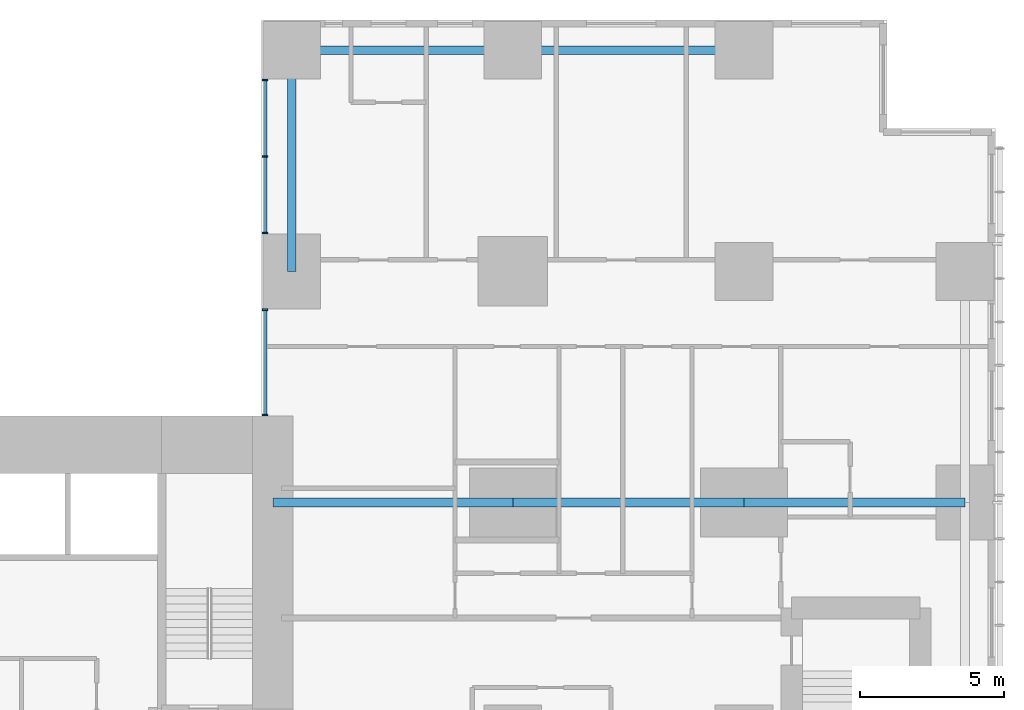
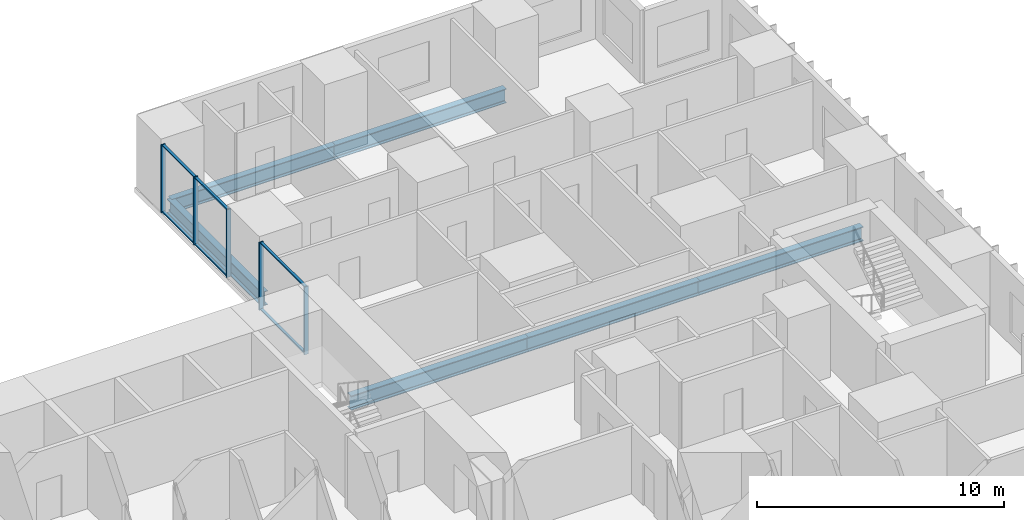
# One storey, part 5 of 20: 11 members, 6 beams, 2 elements without a shape of their own.
"""IFC4 building model written with IfcOpenShell, lengths in metres."""

from ifc_helpers import new_model, si_unit, direction, frame, origin, origin_2d, place, context, subcontext, project, spatial, rectangle, i_section, extrude, material, layer, layer_set, material_profile, profile_set, type_object, element, aggregate, save


model = new_model("IFC4")

# Units and contexts
model_context = context("Model", 3, precision=1e-05, world=origin(), true_north=direction((0.0, 1.0)))
body_context = subcontext(model_context, "Body", "Model", "MODEL_VIEW")
ifc_project = project(units=[si_unit("LENGTHUNIT", "METRE"), si_unit("AREAUNIT", "SQUARE_METRE"), si_unit("VOLUMEUNIT", "CUBIC_METRE"), si_unit("PLANEANGLEUNIT", "RADIAN"), si_unit("MASSUNIT", "GRAM", prefix="KILO")], contexts=[model_context])

# Site, building, storey
site_placement = place(None, origin())
site = spatial("IfcSite", under=ifc_project, at=site_placement, CompositionType="ELEMENT")
building_placement = place(site_placement, origin())
building = spatial("IfcBuilding", under=site, at=building_placement, Name="Cleftline Residences", CompositionType="ELEMENT")
storey_placement = place(building_placement, frame((0.0, 0.0, 76.39990234375)))
storey = spatial("IfcBuildingStorey", under=building, at=storey_placement, Name="L19", CompositionType="ELEMENT", Elevation=76.39990234375)

# Beams
ifc_material_1 = material(Name="Steel S355", Category="steel")
ifc_material_profile_1 = material_profile(ifc_material_1, i_section(OverallWidth=0.300048828125, OverallDepth=0.699951171875, WebThickness=0.01708984375, FlangeThickness=0.031982421875, FilletRadius=0.027099609375, at=origin_2d()))
ifc_profile_set_1 = profile_set([ifc_material_profile_1], Name="Steel S355")
beam_type_1 = type_object("IfcBeamType", Name="BEAM HEB 700", PredefinedType="BEAM", material=ifc_profile_set_1)
beam_1_placement = place(storey_placement, frame((58.0, 47.64990234375, -0.599853515625), z_axis=(-1.0, 0.0, 0.0), x_axis=(0.0, -1.0, 0.0)))
element("IfcBeam", 1, at=beam_1_placement, inside=storey, type_object=beam_type_1, Name="Edge beam", PredefinedType="BEAM", context=body_context, shape_type="SweptSolid", body=[
    extrude(i_section(OverallWidth=0.300048828125, OverallDepth=0.699951171875, WebThickness=0.01708984375, FlangeThickness=0.031982421875, FilletRadius=0.027099609375, at=origin_2d()), origin(), (0.0, 0.0, 1.0), 8.0),
])
for number, where, z_axis, x_axis, name in (
    (2, (50.0, 47.64990234375, -0.599853515625), (-1.0, 0.0, 0.0), (0.0, -1.0, 0.0), "Edge beam"),
    (3, (42.35009765625, 47.64990234375, -0.599853515625), (0.0, -1.0, 0.0), (1.0, 0.0, 0.0), "Edge beam"),
):
    element("IfcBeam", number, at=place(storey_placement, frame(where, z_axis=z_axis, x_axis=x_axis)), inside=storey, type_object=beam_type_1, Name=name, PredefinedType="BEAM", context=body_context, shape_type="SweptSolid", body=[
        extrude(i_section(OverallWidth=0.300048828125, OverallDepth=0.699951171875, WebThickness=0.01708984375, FlangeThickness=0.031982421875, FilletRadius=0.027099609375, at=origin_2d()), origin(), (0.0, 0.0, 1.0), 7.64990234375),
    ])
ifc_material_2 = material(Name="Steel S355", Category="steel")
ifc_material_profile_2 = material_profile(ifc_material_2, i_section(OverallWidth=0.303955078125, OverallDepth=0.716064453125, WebThickness=0.02099609375, FlangeThickness=0.0400390625, FilletRadius=0.027099609375, at=origin_2d()))
ifc_profile_set_2 = profile_set([ifc_material_profile_2], Name="Steel S355")
beam_type_2 = type_object("IfcBeamType", Name="BEAM HEM 700", PredefinedType="BEAM", material=ifc_profile_set_2)
beam_2_placement = place(storey_placement, frame((65.64990234375, 32.0, -0.60791015625), z_axis=(-1.0, 0.0, 0.0), x_axis=(0.0, -1.0, 0.0)))
element("IfcBeam", 4, at=beam_2_placement, inside=storey, type_object=beam_type_2, Name="Band beam", PredefinedType="BEAM", context=body_context, shape_type="SweptSolid", body=[
    extrude(i_section(OverallWidth=0.303955078125, OverallDepth=0.716064453125, WebThickness=0.02099609375, FlangeThickness=0.0400390625, FilletRadius=0.027099609375, at=origin_2d()), origin(), (0.0, 0.0, 1.0), 7.64990234375),
])
beam_3_placement = place(storey_placement, frame((58.0, 32.0, -0.60791015625), z_axis=(-1.0, 0.0, 0.0), x_axis=(0.0, -1.0, 0.0)))
element("IfcBeam", 5, at=beam_3_placement, inside=storey, type_object=beam_type_2, Name="Band beam", PredefinedType="BEAM", context=body_context, shape_type="SweptSolid", body=[
    extrude(i_section(OverallWidth=0.303955078125, OverallDepth=0.716064453125, WebThickness=0.02099609375, FlangeThickness=0.0400390625, FilletRadius=0.027099609375, at=origin_2d()), origin(), (0.0, 0.0, 1.0), 8.0),
])
beam_4_placement = place(storey_placement, frame((50.0, 32.0, -0.60791015625), z_axis=(-1.0, 0.0, 0.0), x_axis=(0.0, -1.0, 0.0)))
element("IfcBeam", 6, at=beam_4_placement, inside=storey, type_object=beam_type_2, Name="Band beam", PredefinedType="BEAM", context=body_context, shape_type="SweptSolid", body=[
    extrude(i_section(OverallWidth=0.303955078125, OverallDepth=0.716064453125, WebThickness=0.02099609375, FlangeThickness=0.0400390625, FilletRadius=0.027099609375, at=origin_2d()), origin(), (0.0, 0.0, 1.0), 8.300048828125),
])

# Curtain wall, members
ifc_material_3 = material(Name="Aluminium framed curtain wall", Category="aluminium")
ifc_layer = layer(ifc_material_3, 0.199951171875)
ifc_layer_set = layer_set([ifc_layer], Name="CW1 CLEFT GLAZING")
curtain_wall_type = type_object("IfcCurtainWallType", Name="CW1 CLEFT GLAZING", PredefinedType="NOTDEFINED", material=ifc_layer_set)
curtain_wall_1_placement = place(storey_placement, origin())
curtain_wall_1 = element("IfcCurtainWall", 7, at=curtain_wall_1_placement, inside=storey, type_object=curtain_wall_type, Name="Curtain wall CW1", PredefinedType="NOTDEFINED")
ifc_material_4 = material(Name="Aluminium mullion", Category="aluminium")
ifc_material_profile_3 = material_profile(ifc_material_4, rectangle(XDim=0.199951171875, YDim=0.06005859375, at=origin_2d()))
ifc_profile_set_3 = profile_set([ifc_material_profile_3], Name="Aluminium mullion")
member_type_1 = type_object("IfcMemberType", Name="CW1 MULLION", PredefinedType="MULLION", material=ifc_profile_set_3)
member_1_placement = place(storey_placement, frame((41.425048828125, 46.6201171875, 0.0), z_axis=(0.0, 0.0, 1.0), x_axis=(1.0, 0.0, 0.0)))
member_1 = element("IfcMember", 8, at=member_1_placement, type_object=member_type_1, Name="CW1 mullion 1", PredefinedType="MULLION", context=body_context, shape_type="SweptSolid", body=[
    extrude(rectangle(XDim=0.199951171875, YDim=0.06005859375, at=origin_2d()), origin(), (0.0, 0.0, 1.0), 3.35009765625),
])
member_2_placement = place(storey_placement, frame((41.425048828125, 43.97509765625, 0.0), z_axis=(0.0, 0.0, 1.0), x_axis=(1.0, 0.0, 0.0)))
member_2 = element("IfcMember", 9, at=member_2_placement, type_object=member_type_1, Name="CW1 mullion 2", PredefinedType="MULLION", context=body_context, shape_type="SweptSolid", body=[
    extrude(rectangle(XDim=0.199951171875, YDim=0.06005859375, at=origin_2d()), origin(), (0.0, 0.0, 1.0), 3.35009765625),
])
member_3_placement = place(storey_placement, frame((41.425048828125, 41.330078125, 0.0), z_axis=(0.0, 0.0, 1.0), x_axis=(1.0, 0.0, 0.0)))
member_3 = element("IfcMember", 10, at=member_3_placement, type_object=member_type_1, Name="CW1 mullion 3", PredefinedType="MULLION", context=body_context, shape_type="SweptSolid", body=[
    extrude(rectangle(XDim=0.199951171875, YDim=0.06005859375, at=origin_2d()), origin(), (0.0, 0.0, 1.0), 3.35009765625),
])

curtain_wall_2_placement = place(storey_placement, origin())
curtain_wall_2 = element("IfcCurtainWall", 11, at=curtain_wall_2_placement, inside=storey, type_object=curtain_wall_type, Name="Curtain wall CW1", PredefinedType="NOTDEFINED")
member_4_placement = place(storey_placement, frame((41.425048828125, 38.669921875, 0.0), z_axis=(0.0, 0.0, 1.0), x_axis=(1.0, 0.0, 0.0)))
member_4 = element("IfcMember", 12, at=member_4_placement, type_object=member_type_1, Name="CW1 mullion 1", PredefinedType="MULLION", context=body_context, shape_type="SweptSolid", body=[
    extrude(rectangle(XDim=0.199951171875, YDim=0.06005859375, at=origin_2d()), origin(), (0.0, 0.0, 1.0), 3.35009765625),
])
member_5_placement = place(storey_placement, frame((41.425048828125, 35.030029296875, 0.0), z_axis=(0.0, 0.0, 1.0), x_axis=(1.0, 0.0, 0.0)))
member_5 = element("IfcMember", 13, at=member_5_placement, type_object=member_type_1, Name="CW1 mullion 2", PredefinedType="MULLION", context=body_context, shape_type="SweptSolid", body=[
    extrude(rectangle(XDim=0.199951171875, YDim=0.06005859375, at=origin_2d()), origin(), (0.0, 0.0, 1.0), 3.35009765625),
])

# Member
ifc_material_5 = material(Name="Aluminium transom", Category="aluminium")
ifc_material_profile_4 = material_profile(ifc_material_5, rectangle(XDim=0.1201171875, YDim=0.06005859375, at=origin_2d()))
ifc_profile_set_4 = profile_set([ifc_material_profile_4], Name="Aluminium transom")
member_type_2 = type_object("IfcMemberType", Name="CW1 TRANSOM", PredefinedType="USERDEFINED", material=ifc_profile_set_4)
member_6_placement = place(storey_placement, frame((41.425048828125, 46.590087890625, 0.030029296875), z_axis=(0.0, -1.0, 0.0), x_axis=(1.0, 0.0, 0.0)))
member_6 = element("IfcMember", 14, at=member_6_placement, type_object=member_type_2, Name="CW1 transom 1.1", ObjectType="TRANSOM", PredefinedType="USERDEFINED", context=body_context, shape_type="SweptSolid", body=[
    extrude(rectangle(XDim=0.1201171875, YDim=0.06005859375, at=origin_2d()), origin(), (0.0, 0.0, 1.0), 2.585205078125),
])

member_7_placement = place(storey_placement, frame((41.425048828125, 46.590087890625, 3.320068359375), z_axis=(0.0, -1.0, 0.0), x_axis=(1.0, 0.0, 0.0)))
member_7 = element("IfcMember", 15, at=member_7_placement, type_object=member_type_2, Name="CW1 transom 1.2", ObjectType="TRANSOM", PredefinedType="USERDEFINED", context=body_context, shape_type="SweptSolid", body=[
    extrude(rectangle(XDim=0.1201171875, YDim=0.06005859375, at=origin_2d()), origin(), (0.0, 0.0, 1.0), 2.585205078125),
])

member_8_placement = place(storey_placement, frame((41.425048828125, 43.945068359375, 0.030029296875), z_axis=(0.0, -1.0, 0.0), x_axis=(1.0, 0.0, 0.0)))
member_8 = element("IfcMember", 16, at=member_8_placement, type_object=member_type_2, Name="CW1 transom 2.1", ObjectType="TRANSOM", PredefinedType="USERDEFINED", context=body_context, shape_type="SweptSolid", body=[
    extrude(rectangle(XDim=0.1201171875, YDim=0.06005859375, at=origin_2d()), origin(), (0.0, 0.0, 1.0), 2.5849609375),
])

member_9_placement = place(storey_placement, frame((41.425048828125, 43.945068359375, 3.320068359375), z_axis=(0.0, -1.0, 0.0), x_axis=(1.0, 0.0, 0.0)))
member_9 = element("IfcMember", 17, at=member_9_placement, type_object=member_type_2, Name="CW1 transom 2.2", ObjectType="TRANSOM", PredefinedType="USERDEFINED", context=body_context, shape_type="SweptSolid", body=[
    extrude(rectangle(XDim=0.1201171875, YDim=0.06005859375, at=origin_2d()), origin(), (0.0, 0.0, 1.0), 2.5849609375),
])

aggregate(curtain_wall_1, [member_1, member_2, member_3, member_6, member_7, member_8, member_9])

member_10_placement = place(storey_placement, frame((41.425048828125, 38.639892578125, 0.030029296875), z_axis=(0.0, -1.0, 0.0), x_axis=(1.0, 0.0, 0.0)))
member_10 = element("IfcMember", 18, at=member_10_placement, type_object=member_type_2, Name="CW1 transom 1.1", ObjectType="TRANSOM", PredefinedType="USERDEFINED", context=body_context, shape_type="SweptSolid", body=[
    extrude(rectangle(XDim=0.1201171875, YDim=0.06005859375, at=origin_2d()), origin(), (0.0, 0.0, 1.0), 3.579833984375),
])

member_11_placement = place(storey_placement, frame((41.425048828125, 38.639892578125, 3.320068359375), z_axis=(0.0, -1.0, 0.0), x_axis=(1.0, 0.0, 0.0)))
member_11 = element("IfcMember", 19, at=member_11_placement, type_object=member_type_2, Name="CW1 transom 1.2", ObjectType="TRANSOM", PredefinedType="USERDEFINED", context=body_context, shape_type="SweptSolid", body=[
    extrude(rectangle(XDim=0.1201171875, YDim=0.06005859375, at=origin_2d()), origin(), (0.0, 0.0, 1.0), 3.579833984375),
])

aggregate(curtain_wall_2, [member_4, member_5, member_10, member_11])

save(model, "model.ifc")
